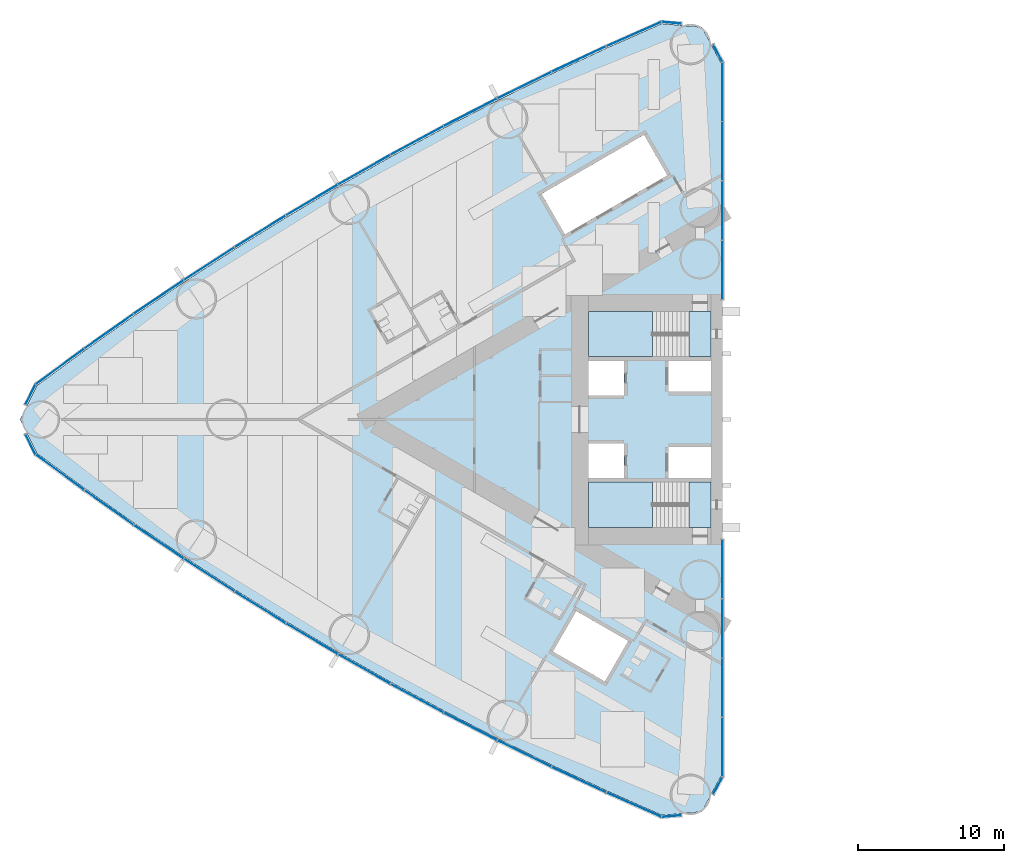
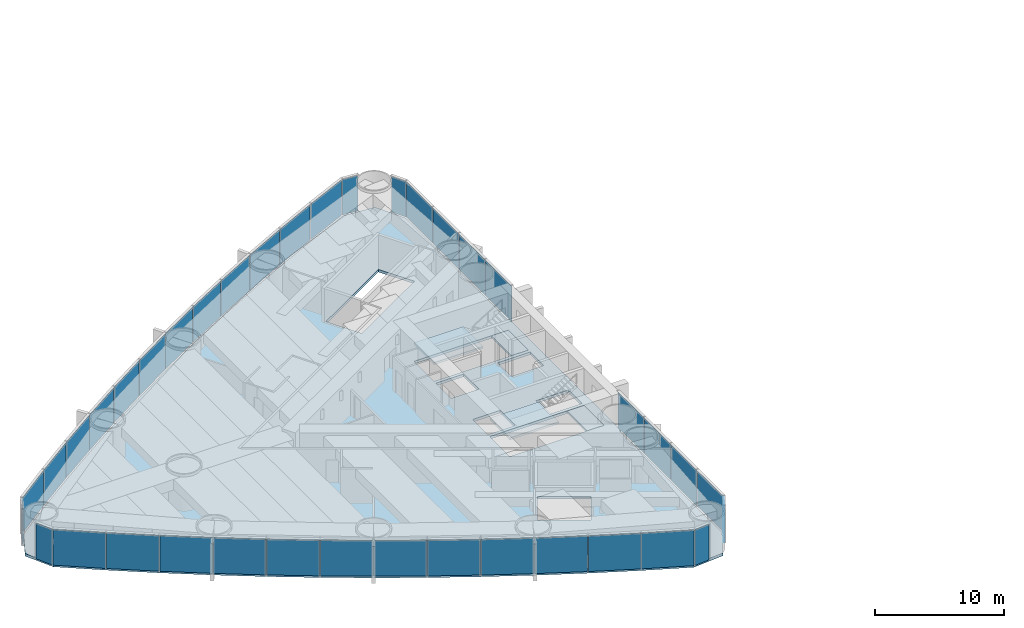
# One storey, part 9 of 19: 38 plates, 5 slabs, 6 elements without a shape of their own.
"""IFC4 building model written with IfcOpenShell, lengths in metres."""

from ifc_helpers import new_model, si_unit, direction, frame, origin, origin_2d, place, context, subcontext, project, spatial, polyline, rectangle, outline, extrude, material, layer, layer_set, type_object, element, aggregate, save


model = new_model("IFC4")

# Units and contexts
model_context = context("Model", 3, precision=1e-05, world=origin(), true_north=direction((0.0, 1.0)))
body_context = subcontext(model_context, "Body", "Model", "MODEL_VIEW")
ifc_project = project(units=[si_unit("LENGTHUNIT", "METRE"), si_unit("AREAUNIT", "SQUARE_METRE"), si_unit("VOLUMEUNIT", "CUBIC_METRE"), si_unit("PLANEANGLEUNIT", "RADIAN"), si_unit("MASSUNIT", "GRAM", prefix="KILO")], contexts=[model_context])

# Site, building, storey
site_placement = place(None, origin())
site = spatial("IfcSite", under=ifc_project, at=site_placement, CompositionType="ELEMENT")
building_placement = place(site_placement, origin())
building = spatial("IfcBuilding", under=site, at=building_placement, Name="Lancet Gate Hotel", CompositionType="ELEMENT")
storey_placement = place(building_placement, frame((0.0, 0.0, 18.0)))
storey = spatial("IfcBuildingStorey", under=building, at=storey_placement, Name="L03", CompositionType="ELEMENT", Elevation=18.0)

# Slab
ifc_material_1 = material(Name="Concrete C50/60", Category="concrete")
ifc_layer_1 = layer(ifc_material_1, 0.25)
ifc_layer_set_1 = layer_set([ifc_layer_1], Name="Floor slab 250")
slab_type_1 = type_object("IfcSlabType", Name="Floor slab 250", PredefinedType="FLOOR", material=ifc_layer_set_1)
slab_1_placement = place(storey_placement, frame((0.0, 0.0, -0.25)))
element("IfcSlab", 1, at=slab_1_placement, inside=storey, type_object=slab_type_1, Name="T1 L03 floor slab", PredefinedType="FLOOR", context=body_context, shape_type="SweptSolid", body=[
    extrude(outline(polyline([(-27.5, 8.60009765625), (-27.6201171875, 8.60009765625), (-27.6201171875, 24.4609375), (-28.926513671875, 26.8837890625), (-31.668212890625, 27.12353515625), (-35.424072265625, 25.458740234375), (-39.173583984375, 23.70849609375), (-42.887939453125, 21.884765625), (-46.56591796875, 19.98876953125), (-50.2060546875, 18.02099609375), (-53.806884765625, 15.982421875), (-57.366943359375, 13.87353515625), (-60.88525390625, 11.695068359375), (-64.360107421875, 9.448486328125), (-67.7900390625, 7.134033203125), (-71.17431640625, 4.752685546875), (-74.488525390625, 2.322021484375), (-75.65087890625, 0.0), (-74.488525390625, -2.322021484375), (-71.17431640625, -4.752685546875), (-67.7900390625, -7.134033203125), (-64.360107421875, -9.448486328125), (-60.88525390625, -11.695068359375), (-57.366943359375, -13.87353515625), (-53.806884765625, -15.982421875), (-50.2060546875, -18.02099609375), (-46.56591796875, -19.98876953125), (-42.887939453125, -21.884765625), (-39.173583984375, -23.70849609375), (-35.424072265625, -25.458740234375), (-31.668212890625, -27.12353515625), (-28.926513671875, -26.8837890625), (-27.6201171875, -24.4609375), (-27.6201171875, -8.60009765625), (-27.5, -8.60009765625), (-27.5, -8.199951171875), (-27.5, 8.199951171875), (-27.5, 8.60009765625)]), holes=[polyline([(-36.699951171875, 7.39990234375), (-36.699951171875, 4.300048828125), (-28.300048828125, 4.300048828125), (-28.300048828125, 7.39990234375), (-36.699951171875, 7.39990234375)]), polyline([(-28.300048828125, 4.0), (-31.199951171875, 4.0), (-31.199951171875, 1.89990234375), (-28.300048828125, 1.89990234375), (-28.300048828125, 4.0)]), polyline([(-34.25, 4.0), (-36.699951171875, 4.0), (-36.699951171875, 1.64990234375), (-34.25, 1.64990234375), (-34.25, 4.0)]), polyline([(-36.699951171875, -1.64990234375), (-36.699951171875, -4.0), (-34.25, -4.0), (-34.25, -1.64990234375), (-36.699951171875, -1.64990234375)]), polyline([(-28.300048828125, -1.89990234375), (-31.199951171875, -1.89990234375), (-31.199951171875, -4.0), (-28.300048828125, -4.0), (-28.300048828125, -1.89990234375)]), polyline([(-28.300048828125, -4.300048828125), (-36.699951171875, -4.300048828125), (-36.699951171875, -7.39990234375), (-28.300048828125, -7.39990234375), (-28.300048828125, -4.300048828125)]), polyline([(-31.2900390625, 16.73095703125), (-32.889892578125, 19.501953125), (-39.904052734375, 15.451904296875), (-38.303955078125, 12.680908203125), (-31.2900390625, 16.73095703125)]), polyline([(-33.97412109375, -15.180908203125), (-37.52490234375, -13.131103515625), (-39.125, -15.902099609375), (-35.573974609375, -17.951904296875), (-33.97412109375, -15.180908203125)])]), origin(), (0.0, 0.0, 1.0), 0.25),
])

# Stair, slabs
ifc_material_2 = material(Name="Exit stair 20 risers 1500")
stair_type = type_object("IfcStairType", Name="Exit stair 20 risers 1500", PredefinedType="HALF_TURN_STAIR", material=ifc_material_2)
stair_1_placement = place(storey_placement, origin())
stair_1 = element("IfcStair", 2, at=stair_1_placement, inside=storey, type_object=stair_type, Name="T1 stair 1 L03", PredefinedType="HALF_TURN_STAIR")
ifc_material_3 = material(Name="Concrete C40/50", Category="concrete")
ifc_layer_2 = layer(ifc_material_3, 0.199951171875)
ifc_layer_set_2 = layer_set([ifc_layer_2], Name="Stair landing 200")
slab_type_2 = type_object("IfcSlabType", Name="Stair landing 200", PredefinedType="LANDING", material=ifc_layer_set_2)
slab_2_placement = place(storey_placement, frame((0.0, 0.0, -0.199951171875)))
slab_2 = element("IfcSlab", 3, at=slab_2_placement, type_object=slab_type_2, Name="ST1 landing 1", PredefinedType="LANDING", context=body_context, shape_type="SweptSolid", body=[
    extrude(outline(polyline([(-28.300048828125, 7.39990234375), (-29.800048828125, 7.39990234375), (-29.800048828125, 4.300048828125), (-28.300048828125, 4.300048828125), (-28.300048828125, 7.39990234375)])), origin(), (0.0, 0.0, 1.0), 0.199951171875),
])
slab_3_placement = place(storey_placement, frame((0.0, 0.0, 1.550048828125)))
slab_3 = element("IfcSlab", 4, at=slab_3_placement, type_object=slab_type_2, Name="ST1 landing 2", PredefinedType="LANDING", context=body_context, shape_type="SweptSolid", body=[
    extrude(outline(polyline([(-32.320068359375, 7.39990234375), (-36.699951171875, 7.39990234375), (-36.699951171875, 4.300048828125), (-32.320068359375, 4.300048828125), (-32.320068359375, 7.39990234375)])), origin(), (0.0, 0.0, 1.0), 0.199951171875),
])
aggregate(stair_1, [slab_2, slab_3])

stair_2_placement = place(storey_placement, origin())
stair_2 = element("IfcStair", 5, at=stair_2_placement, inside=storey, type_object=stair_type, Name="T1 stair 2 L03", PredefinedType="HALF_TURN_STAIR")
slab_4_placement = place(storey_placement, frame((0.0, 0.0, -0.199951171875)))
slab_4 = element("IfcSlab", 6, at=slab_4_placement, type_object=slab_type_2, Name="ST2 landing 1", PredefinedType="LANDING", context=body_context, shape_type="SweptSolid", body=[
    extrude(outline(polyline([(-28.300048828125, -4.300048828125), (-29.800048828125, -4.300048828125), (-29.800048828125, -7.39990234375), (-28.300048828125, -7.39990234375), (-28.300048828125, -4.300048828125)])), origin(), (0.0, 0.0, 1.0), 0.199951171875),
])
slab_5_placement = place(storey_placement, frame((0.0, 0.0, 1.550048828125)))
slab_5 = element("IfcSlab", 7, at=slab_5_placement, type_object=slab_type_2, Name="ST2 landing 2", PredefinedType="LANDING", context=body_context, shape_type="SweptSolid", body=[
    extrude(outline(polyline([(-32.320068359375, -4.300048828125), (-36.699951171875, -4.300048828125), (-36.699951171875, -7.39990234375), (-32.320068359375, -7.39990234375), (-32.320068359375, -4.300048828125)])), origin(), (0.0, 0.0, 1.0), 0.199951171875),
])
aggregate(stair_2, [slab_4, slab_5])

# Curtain wall, plates
ifc_material_4 = material(Name="Aluminium curtain wall", Category="aluminium")
curtain_wall_type = type_object("IfcCurtainWallType", Name="Tower unitised curtain wall", PredefinedType="USERDEFINED", material=ifc_material_4)
curtain_wall_1_placement = place(storey_placement, origin())
curtain_wall_1 = element("IfcCurtainWall", 8, at=curtain_wall_1_placement, inside=storey, type_object=curtain_wall_type, Name="T1 L03 curtain wall 1", ObjectType="UNITISED CURTAIN WALL", PredefinedType="USERDEFINED")
ifc_material_5 = material(Name="Glass double glazed unit 8-16-6", Category="glass")
ifc_layer_3 = layer(ifc_material_5, 0.030029296875)
ifc_layer_set_3 = layer_set([ifc_layer_3], Name="Vision panel double glazed")
plate_type = type_object("IfcPlateType", Name="Vision panel double glazed", PredefinedType="CURTAIN_PANEL", material=ifc_layer_set_3)
plate_1_placement = place(storey_placement, frame((-27.5, 10.236328125, 0.0), z_axis=(0.0, 0.0, 1.0), x_axis=(0.0, 1.0, 0.0)))
plate_1 = element("IfcPlate", 9, at=plate_1_placement, type_object=plate_type, Name="T1 L03 curtain wall 1 panel 1", PredefinedType="CURTAIN_PANEL", context=body_context, shape_type="SweptSolid", body=[
    extrude(rectangle(XDim=4.0078125, YDim=0.030029296875, at=origin_2d()), origin(), (0.0, 0.0, 1.0), 3.35009765625),
])
plate_2_placement = place(storey_placement, frame((-27.5, 14.30908203125, 0.0), z_axis=(0.0, 0.0, 1.0), x_axis=(0.0, 1.0, 0.0)))
plate_2 = element("IfcPlate", 10, at=plate_2_placement, type_object=plate_type, Name="T1 L03 curtain wall 1 panel 2", PredefinedType="CURTAIN_PANEL", context=body_context, shape_type="SweptSolid", body=[
    extrude(rectangle(XDim=4.0078125, YDim=0.030029296875, at=origin_2d()), origin(), (0.0, 0.0, 1.0), 3.35009765625),
])
plate_3_placement = place(storey_placement, frame((-27.5, 18.382080078125, 0.0), z_axis=(0.0, 0.0, 1.0), x_axis=(0.0, 1.0, 0.0)))
plate_3 = element("IfcPlate", 11, at=plate_3_placement, type_object=plate_type, Name="T1 L03 curtain wall 1 panel 3", PredefinedType="CURTAIN_PANEL", context=body_context, shape_type="SweptSolid", body=[
    extrude(rectangle(XDim=4.0078125, YDim=0.030029296875, at=origin_2d()), origin(), (0.0, 0.0, 1.0), 3.35009765625),
])
plate_4_placement = place(storey_placement, frame((-27.5, 22.454833984375, 0.0), z_axis=(0.0, 0.0, 1.0), x_axis=(0.0, 1.0, 0.0)))
plate_4 = element("IfcPlate", 12, at=plate_4_placement, type_object=plate_type, Name="T1 L03 curtain wall 1 panel 4", PredefinedType="CURTAIN_PANEL", context=body_context, shape_type="SweptSolid", body=[
    extrude(rectangle(XDim=4.0078125, YDim=0.030029296875, at=origin_2d()), origin(), (0.0, 0.0, 1.0), 3.35009765625),
])
plate_5_placement = place(storey_placement, frame((-27.829345703125, 25.10205078125, 0.0), z_axis=(0.0, 0.0, 1.0), x_axis=(-0.474631040972, 0.880184852714, 0.0)))
plate_5 = element("IfcPlate", 13, at=plate_5_placement, type_object=plate_type, Name="T1 L03 curtain wall 1 panel 5", PredefinedType="CURTAIN_PANEL", context=body_context, shape_type="SweptSolid", body=[
    extrude(rectangle(XDim=1.322998046875, YDim=0.030029296875, at=origin_2d()), origin(), (0.0, 0.0, 1.0), 3.35009765625),
])
aggregate(curtain_wall_1, [plate_1, plate_2, plate_3, plate_4, plate_5])

curtain_wall_2_placement = place(storey_placement, origin())
curtain_wall_2 = element("IfcCurtainWall", 14, at=curtain_wall_2_placement, inside=storey, type_object=curtain_wall_type, Name="T1 L03 curtain wall 2", ObjectType="UNITISED CURTAIN WALL", PredefinedType="USERDEFINED")
plate_6_placement = place(storey_placement, frame((-30.99658203125, 27.185302734375, 0.0), z_axis=(0.0, 0.0, 1.0), x_axis=(-0.99620380374, 0.087051602022, 0.0)))
plate_6 = element("IfcPlate", 15, at=plate_6_placement, type_object=plate_type, Name="T1 L03 curtain wall 2 panel 1", PredefinedType="CURTAIN_PANEL", context=body_context, shape_type="SweptSolid", body=[
    extrude(rectangle(XDim=1.32421875, YDim=0.030029296875, at=origin_2d()), origin(), (0.0, 0.0, 1.0), 3.35009765625),
])
plate_7_placement = place(storey_placement, frame((-33.581298828125, 26.406982421875, 0.0), z_axis=(0.0, 0.0, 1.0), x_axis=(-0.914234183208, -0.405186201954, 0.0)))
plate_7 = element("IfcPlate", 16, at=plate_7_placement, type_object=plate_type, Name="T1 L03 curtain wall 2 panel 2", PredefinedType="CURTAIN_PANEL", context=body_context, shape_type="SweptSolid", body=[
    extrude(rectangle(XDim=4.0751953125, YDim=0.030029296875, at=origin_2d()), origin(), (0.0, 0.0, 1.0), 3.35009765625),
])
plate_8_placement = place(storey_placement, frame((-37.349609375, 24.6923828125, 0.0), z_axis=(0.0, 0.0, 1.0), x_axis=(-0.906117767284, -0.423025521467, 0.0)))
plate_8 = element("IfcPlate", 17, at=plate_8_placement, type_object=plate_type, Name="T1 L03 curtain wall 2 panel 3", PredefinedType="CURTAIN_PANEL", context=body_context, shape_type="SweptSolid", body=[
    extrude(rectangle(XDim=4.0751953125, YDim=0.030029296875, at=origin_2d()), origin(), (0.0, 0.0, 1.0), 3.35009765625),
])
plate_9_placement = place(storey_placement, frame((-41.083740234375, 22.904296875, 0.0), z_axis=(0.0, 0.0, 1.0), x_axis=(-0.897653295642, -0.440702349463, 0.0)))
plate_9 = element("IfcPlate", 18, at=plate_9_placement, type_object=plate_type, Name="T1 L03 curtain wall 2 panel 4", PredefinedType="CURTAIN_PANEL", context=body_context, shape_type="SweptSolid", body=[
    extrude(rectangle(XDim=4.0751953125, YDim=0.030029296875, at=origin_2d()), origin(), (0.0, 0.0, 1.0), 3.35009765625),
])
plate_10_placement = place(storey_placement, frame((-44.781982421875, 21.04345703125, 0.0), z_axis=(0.0, 0.0, 1.0), x_axis=(-0.888844019644, -0.458209895946, 0.0)))
plate_10 = element("IfcPlate", 19, at=plate_10_placement, type_object=plate_type, Name="T1 L03 curtain wall 2 panel 5", PredefinedType="CURTAIN_PANEL", context=body_context, shape_type="SweptSolid", body=[
    extrude(rectangle(XDim=4.0751953125, YDim=0.030029296875, at=origin_2d()), origin(), (0.0, 0.0, 1.0), 3.35009765625),
])
plate_11_placement = place(storey_placement, frame((-48.443115234375, 19.110595703125, 0.0), z_axis=(0.0, 0.0, 1.0), x_axis=(-0.87969332307, -0.475541435993, 0.0)))
plate_11 = element("IfcPlate", 20, at=plate_11_placement, type_object=plate_type, Name="T1 L03 curtain wall 2 panel 6", PredefinedType="CURTAIN_PANEL", context=body_context, shape_type="SweptSolid", body=[
    extrude(rectangle(XDim=4.0751953125, YDim=0.030029296875, at=origin_2d()), origin(), (0.0, 0.0, 1.0), 3.35009765625),
])
plate_12_placement = place(storey_placement, frame((-52.065673828125, 17.106201171875, 0.0), z_axis=(0.0, 0.0, 1.0), x_axis=(-0.870204720871, -0.492690312238, 0.0)))
plate_12 = element("IfcPlate", 21, at=plate_12_placement, type_object=plate_type, Name="T1 L03 curtain wall 2 panel 7", PredefinedType="CURTAIN_PANEL", context=body_context, shape_type="SweptSolid", body=[
    extrude(rectangle(XDim=4.0751953125, YDim=0.030029296875, at=origin_2d()), origin(), (0.0, 0.0, 1.0), 3.35009765625),
])
plate_13_placement = place(storey_placement, frame((-55.648193359375, 15.031005859375, 0.0), z_axis=(0.0, 0.0, 1.0), x_axis=(-0.860381857795, -0.509649937484, 0.0)))
plate_13 = element("IfcPlate", 22, at=plate_13_placement, type_object=plate_type, Name="T1 L03 curtain wall 2 panel 8", PredefinedType="CURTAIN_PANEL", context=body_context, shape_type="SweptSolid", body=[
    extrude(rectangle(XDim=4.0751953125, YDim=0.030029296875, at=origin_2d()), origin(), (0.0, 0.0, 1.0), 3.35009765625),
])
plate_14_placement = place(storey_placement, frame((-59.189208984375, 12.88623046875, 0.0), z_axis=(0.0, 0.0, 1.0), x_axis=(-0.850228506958, -0.52641379727, 0.0)))
plate_14 = element("IfcPlate", 23, at=plate_14_placement, type_object=plate_type, Name="T1 L03 curtain wall 2 panel 9", PredefinedType="CURTAIN_PANEL", context=body_context, shape_type="SweptSolid", body=[
    extrude(rectangle(XDim=4.0751953125, YDim=0.030029296875, at=origin_2d()), origin(), (0.0, 0.0, 1.0), 3.35009765625),
])
plate_15_placement = place(storey_placement, frame((-62.687744140625, 10.672607421875, 0.0), z_axis=(0.0, 0.0, 1.0), x_axis=(-0.839748568448, -0.54297545229, 0.0)))
plate_15 = element("IfcPlate", 24, at=plate_15_placement, type_object=plate_type, Name="T1 L03 curtain wall 2 panel 10", PredefinedType="CURTAIN_PANEL", context=body_context, shape_type="SweptSolid", body=[
    extrude(rectangle(XDim=4.0751953125, YDim=0.030029296875, at=origin_2d()), origin(), (0.0, 0.0, 1.0), 3.35009765625),
])
plate_16_placement = place(storey_placement, frame((-66.142333984375, 8.390625, 0.0), z_axis=(0.0, 0.0, 1.0), x_axis=(-0.828946067803, -0.559328540907, 0.0)))
plate_16 = element("IfcPlate", 25, at=plate_16_placement, type_object=plate_type, Name="T1 L03 curtain wall 2 panel 11", PredefinedType="CURTAIN_PANEL", context=body_context, shape_type="SweptSolid", body=[
    extrude(rectangle(XDim=4.0751953125, YDim=0.030029296875, at=origin_2d()), origin(), (0.0, 0.0, 1.0), 3.35009765625),
])
plate_17_placement = place(storey_placement, frame((-69.55126953125, 6.04150390625, 0.0), z_axis=(0.0, 0.0, 1.0), x_axis=(-0.817825154435, -0.575466781642, 0.0)))
plate_17 = element("IfcPlate", 26, at=plate_17_placement, type_object=plate_type, Name="T1 L03 curtain wall 2 panel 12", PredefinedType="CURTAIN_PANEL", context=body_context, shape_type="SweptSolid", body=[
    extrude(rectangle(XDim=4.0751953125, YDim=0.030029296875, at=origin_2d()), origin(), (0.0, 0.0, 1.0), 3.35009765625),
])
plate_18_placement = place(storey_placement, frame((-72.91357421875, 3.6259765625, 0.0), z_axis=(0.0, 0.0, 1.0), x_axis=(-0.80639010009, -0.591383975499, 0.0)))
plate_18 = element("IfcPlate", 27, at=plate_18_placement, type_object=plate_type, Name="T1 L03 curtain wall 2 panel 13", PredefinedType="CURTAIN_PANEL", context=body_context, shape_type="SweptSolid", body=[
    extrude(rectangle(XDim=4.0751953125, YDim=0.030029296875, at=origin_2d()), origin(), (0.0, 0.0, 1.0), 3.35009765625),
])
plate_19_placement = place(storey_placement, frame((-74.93505859375, 1.6982421875, 0.0), z_axis=(0.0, 0.0, 1.0), x_axis=(-0.447628324726, -0.89421970617, 0.0)))
plate_19 = element("IfcPlate", 28, at=plate_19_placement, type_object=plate_type, Name="T1 L03 curtain wall 2 panel 14", PredefinedType="CURTAIN_PANEL", context=body_context, shape_type="SweptSolid", body=[
    extrude(rectangle(XDim=1.50830078125, YDim=0.030029296875, at=origin_2d()), origin(), (0.0, 0.0, 1.0), 3.35009765625),
])
aggregate(curtain_wall_2, [plate_6, plate_7, plate_8, plate_9, plate_10, plate_11, plate_12, plate_13, plate_14, plate_15, plate_16, plate_17, plate_18, plate_19])

curtain_wall_3_placement = place(storey_placement, origin())
curtain_wall_3 = element("IfcCurtainWall", 29, at=curtain_wall_3_placement, inside=storey, type_object=curtain_wall_type, Name="T1 L03 curtain wall 3", ObjectType="UNITISED CURTAIN WALL", PredefinedType="USERDEFINED")
plate_20_placement = place(storey_placement, frame((-74.93505859375, -1.6982421875, 0.0), z_axis=(0.0, 0.0, 1.0), x_axis=(0.447628324726, -0.89421970617, 0.0)))
plate_20 = element("IfcPlate", 30, at=plate_20_placement, type_object=plate_type, Name="T1 L03 curtain wall 3 panel 1", PredefinedType="CURTAIN_PANEL", context=body_context, shape_type="SweptSolid", body=[
    extrude(rectangle(XDim=1.50830078125, YDim=0.030029296875, at=origin_2d()), origin(), (0.0, 0.0, 1.0), 3.35009765625),
])
plate_21_placement = place(storey_placement, frame((-72.91357421875, -3.6259765625, 0.0), z_axis=(0.0, 0.0, 1.0), x_axis=(0.80639010009, -0.591383975499, 0.0)))
plate_21 = element("IfcPlate", 31, at=plate_21_placement, type_object=plate_type, Name="T1 L03 curtain wall 3 panel 2", PredefinedType="CURTAIN_PANEL", context=body_context, shape_type="SweptSolid", body=[
    extrude(rectangle(XDim=4.0751953125, YDim=0.030029296875, at=origin_2d()), origin(), (0.0, 0.0, 1.0), 3.35009765625),
])
plate_22_placement = place(storey_placement, frame((-69.55126953125, -6.04150390625, 0.0), z_axis=(0.0, 0.0, 1.0), x_axis=(0.817825154435, -0.575466781642, 0.0)))
plate_22 = element("IfcPlate", 32, at=plate_22_placement, type_object=plate_type, Name="T1 L03 curtain wall 3 panel 3", PredefinedType="CURTAIN_PANEL", context=body_context, shape_type="SweptSolid", body=[
    extrude(rectangle(XDim=4.0751953125, YDim=0.030029296875, at=origin_2d()), origin(), (0.0, 0.0, 1.0), 3.35009765625),
])
plate_23_placement = place(storey_placement, frame((-66.142333984375, -8.390625, 0.0), z_axis=(0.0, 0.0, 1.0), x_axis=(0.828946067803, -0.559328540907, 0.0)))
plate_23 = element("IfcPlate", 33, at=plate_23_placement, type_object=plate_type, Name="T1 L03 curtain wall 3 panel 4", PredefinedType="CURTAIN_PANEL", context=body_context, shape_type="SweptSolid", body=[
    extrude(rectangle(XDim=4.0751953125, YDim=0.030029296875, at=origin_2d()), origin(), (0.0, 0.0, 1.0), 3.35009765625),
])
plate_24_placement = place(storey_placement, frame((-62.687744140625, -10.672607421875, 0.0), z_axis=(0.0, 0.0, 1.0), x_axis=(0.839748568448, -0.54297545229, 0.0)))
plate_24 = element("IfcPlate", 34, at=plate_24_placement, type_object=plate_type, Name="T1 L03 curtain wall 3 panel 5", PredefinedType="CURTAIN_PANEL", context=body_context, shape_type="SweptSolid", body=[
    extrude(rectangle(XDim=4.0751953125, YDim=0.030029296875, at=origin_2d()), origin(), (0.0, 0.0, 1.0), 3.35009765625),
])
plate_25_placement = place(storey_placement, frame((-59.189208984375, -12.88623046875, 0.0), z_axis=(0.0, 0.0, 1.0), x_axis=(0.850228506958, -0.52641379727, 0.0)))
plate_25 = element("IfcPlate", 35, at=plate_25_placement, type_object=plate_type, Name="T1 L03 curtain wall 3 panel 6", PredefinedType="CURTAIN_PANEL", context=body_context, shape_type="SweptSolid", body=[
    extrude(rectangle(XDim=4.0751953125, YDim=0.030029296875, at=origin_2d()), origin(), (0.0, 0.0, 1.0), 3.35009765625),
])
plate_26_placement = place(storey_placement, frame((-55.648193359375, -15.031005859375, 0.0), z_axis=(0.0, 0.0, 1.0), x_axis=(0.860381857795, -0.509649937484, 0.0)))
plate_26 = element("IfcPlate", 36, at=plate_26_placement, type_object=plate_type, Name="T1 L03 curtain wall 3 panel 7", PredefinedType="CURTAIN_PANEL", context=body_context, shape_type="SweptSolid", body=[
    extrude(rectangle(XDim=4.0751953125, YDim=0.030029296875, at=origin_2d()), origin(), (0.0, 0.0, 1.0), 3.35009765625),
])
plate_27_placement = place(storey_placement, frame((-52.065673828125, -17.106201171875, 0.0), z_axis=(0.0, 0.0, 1.0), x_axis=(0.870204720871, -0.492690312238, 0.0)))
plate_27 = element("IfcPlate", 37, at=plate_27_placement, type_object=plate_type, Name="T1 L03 curtain wall 3 panel 8", PredefinedType="CURTAIN_PANEL", context=body_context, shape_type="SweptSolid", body=[
    extrude(rectangle(XDim=4.0751953125, YDim=0.030029296875, at=origin_2d()), origin(), (0.0, 0.0, 1.0), 3.35009765625),
])
plate_28_placement = place(storey_placement, frame((-48.443115234375, -19.110595703125, 0.0), z_axis=(0.0, 0.0, 1.0), x_axis=(0.87969332307, -0.475541435993, 0.0)))
plate_28 = element("IfcPlate", 38, at=plate_28_placement, type_object=plate_type, Name="T1 L03 curtain wall 3 panel 9", PredefinedType="CURTAIN_PANEL", context=body_context, shape_type="SweptSolid", body=[
    extrude(rectangle(XDim=4.0751953125, YDim=0.030029296875, at=origin_2d()), origin(), (0.0, 0.0, 1.0), 3.35009765625),
])
plate_29_placement = place(storey_placement, frame((-44.781982421875, -21.04345703125, 0.0), z_axis=(0.0, 0.0, 1.0), x_axis=(0.888844019644, -0.458209895946, 0.0)))
plate_29 = element("IfcPlate", 39, at=plate_29_placement, type_object=plate_type, Name="T1 L03 curtain wall 3 panel 10", PredefinedType="CURTAIN_PANEL", context=body_context, shape_type="SweptSolid", body=[
    extrude(rectangle(XDim=4.0751953125, YDim=0.030029296875, at=origin_2d()), origin(), (0.0, 0.0, 1.0), 3.35009765625),
])
plate_30_placement = place(storey_placement, frame((-41.083740234375, -22.904296875, 0.0), z_axis=(0.0, 0.0, 1.0), x_axis=(0.897653295642, -0.440702349463, 0.0)))
plate_30 = element("IfcPlate", 40, at=plate_30_placement, type_object=plate_type, Name="T1 L03 curtain wall 3 panel 11", PredefinedType="CURTAIN_PANEL", context=body_context, shape_type="SweptSolid", body=[
    extrude(rectangle(XDim=4.0751953125, YDim=0.030029296875, at=origin_2d()), origin(), (0.0, 0.0, 1.0), 3.35009765625),
])
plate_31_placement = place(storey_placement, frame((-37.349609375, -24.6923828125, 0.0), z_axis=(0.0, 0.0, 1.0), x_axis=(0.906117767284, -0.423025521467, 0.0)))
plate_31 = element("IfcPlate", 41, at=plate_31_placement, type_object=plate_type, Name="T1 L03 curtain wall 3 panel 12", PredefinedType="CURTAIN_PANEL", context=body_context, shape_type="SweptSolid", body=[
    extrude(rectangle(XDim=4.0751953125, YDim=0.030029296875, at=origin_2d()), origin(), (0.0, 0.0, 1.0), 3.35009765625),
])
plate_32_placement = place(storey_placement, frame((-33.581298828125, -26.406982421875, 0.0), z_axis=(0.0, 0.0, 1.0), x_axis=(0.914234183208, -0.405186201954, 0.0)))
plate_32 = element("IfcPlate", 42, at=plate_32_placement, type_object=plate_type, Name="T1 L03 curtain wall 3 panel 13", PredefinedType="CURTAIN_PANEL", context=body_context, shape_type="SweptSolid", body=[
    extrude(rectangle(XDim=4.0751953125, YDim=0.030029296875, at=origin_2d()), origin(), (0.0, 0.0, 1.0), 3.35009765625),
])
plate_33_placement = place(storey_placement, frame((-30.99658203125, -27.185302734375, 0.0), z_axis=(0.0, 0.0, 1.0), x_axis=(0.99620380374, 0.087051602022, 0.0)))
plate_33 = element("IfcPlate", 43, at=plate_33_placement, type_object=plate_type, Name="T1 L03 curtain wall 3 panel 14", PredefinedType="CURTAIN_PANEL", context=body_context, shape_type="SweptSolid", body=[
    extrude(rectangle(XDim=1.32421875, YDim=0.030029296875, at=origin_2d()), origin(), (0.0, 0.0, 1.0), 3.35009765625),
])
aggregate(curtain_wall_3, [plate_20, plate_21, plate_22, plate_23, plate_24, plate_25, plate_26, plate_27, plate_28, plate_29, plate_30, plate_31, plate_32, plate_33])

curtain_wall_4_placement = place(storey_placement, origin())
curtain_wall_4 = element("IfcCurtainWall", 44, at=curtain_wall_4_placement, inside=storey, type_object=curtain_wall_type, Name="T1 L03 curtain wall 4", ObjectType="UNITISED CURTAIN WALL", PredefinedType="USERDEFINED")
plate_34_placement = place(storey_placement, frame((-27.829345703125, -25.10205078125, 0.0), z_axis=(0.0, 0.0, 1.0), x_axis=(0.474631040972, 0.880184852714, 0.0)))
plate_34 = element("IfcPlate", 45, at=plate_34_placement, type_object=plate_type, Name="T1 L03 curtain wall 4 panel 1", PredefinedType="CURTAIN_PANEL", context=body_context, shape_type="SweptSolid", body=[
    extrude(rectangle(XDim=1.322998046875, YDim=0.030029296875, at=origin_2d()), origin(), (0.0, 0.0, 1.0), 3.35009765625),
])
plate_35_placement = place(storey_placement, frame((-27.5, -22.454833984375, 0.0), z_axis=(0.0, 0.0, 1.0), x_axis=(0.0, 1.0, 0.0)))
plate_35 = element("IfcPlate", 46, at=plate_35_placement, type_object=plate_type, Name="T1 L03 curtain wall 4 panel 2", PredefinedType="CURTAIN_PANEL", context=body_context, shape_type="SweptSolid", body=[
    extrude(rectangle(XDim=4.0078125, YDim=0.030029296875, at=origin_2d()), origin(), (0.0, 0.0, 1.0), 3.35009765625),
])
plate_36_placement = place(storey_placement, frame((-27.5, -18.382080078125, 0.0), z_axis=(0.0, 0.0, 1.0), x_axis=(0.0, 1.0, 0.0)))
plate_36 = element("IfcPlate", 47, at=plate_36_placement, type_object=plate_type, Name="T1 L03 curtain wall 4 panel 3", PredefinedType="CURTAIN_PANEL", context=body_context, shape_type="SweptSolid", body=[
    extrude(rectangle(XDim=4.0078125, YDim=0.030029296875, at=origin_2d()), origin(), (0.0, 0.0, 1.0), 3.35009765625),
])
plate_37_placement = place(storey_placement, frame((-27.5, -14.30908203125, 0.0), z_axis=(0.0, 0.0, 1.0), x_axis=(0.0, 1.0, 0.0)))
plate_37 = element("IfcPlate", 48, at=plate_37_placement, type_object=plate_type, Name="T1 L03 curtain wall 4 panel 4", PredefinedType="CURTAIN_PANEL", context=body_context, shape_type="SweptSolid", body=[
    extrude(rectangle(XDim=4.0078125, YDim=0.030029296875, at=origin_2d()), origin(), (0.0, 0.0, 1.0), 3.35009765625),
])
plate_38_placement = place(storey_placement, frame((-27.5, -10.236328125, 0.0), z_axis=(0.0, 0.0, 1.0), x_axis=(0.0, 1.0, 0.0)))
plate_38 = element("IfcPlate", 49, at=plate_38_placement, type_object=plate_type, Name="T1 L03 curtain wall 4 panel 5", PredefinedType="CURTAIN_PANEL", context=body_context, shape_type="SweptSolid", body=[
    extrude(rectangle(XDim=4.0078125, YDim=0.030029296875, at=origin_2d()), origin(), (0.0, 0.0, 1.0), 3.35009765625),
])
aggregate(curtain_wall_4, [plate_34, plate_35, plate_36, plate_37, plate_38])

save(model, "model.ifc")
